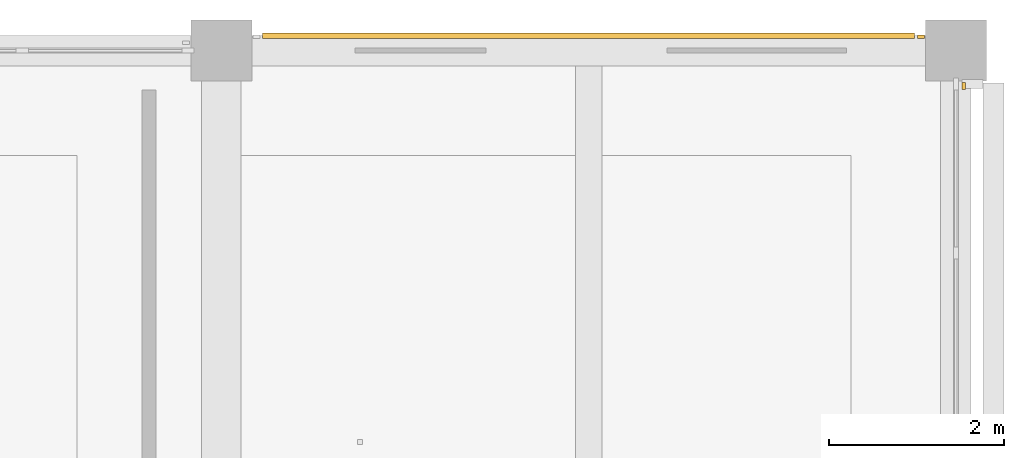
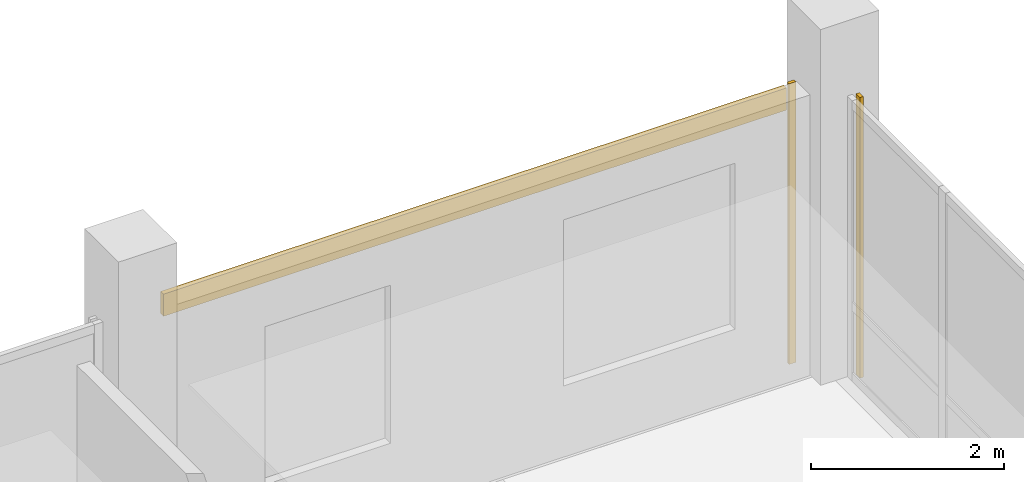
# One storey, part 35 of 35: 3 coverings.
"""IFC4 building model written with IfcOpenShell, lengths in metres."""

from ifc_helpers import new_model, si_unit, direction, frame, origin, origin_2d, place, context, subcontext, project, spatial, rectangle, extrude, material, layer, layer_set, type_object, element, save


model = new_model("IFC4")

# Units and contexts
model_context = context("Model", 3, precision=1e-05, world=origin(), true_north=direction((0.0, 1.0)))
body_context = subcontext(model_context, "Body", "Model", "MODEL_VIEW")
ifc_project = project(units=[si_unit("LENGTHUNIT", "METRE"), si_unit("AREAUNIT", "SQUARE_METRE"), si_unit("VOLUMEUNIT", "CUBIC_METRE"), si_unit("PLANEANGLEUNIT", "RADIAN"), si_unit("MASSUNIT", "GRAM", prefix="KILO")], contexts=[model_context])

# Site, building, storey
site_placement = place(None, origin())
site = spatial("IfcSite", under=ifc_project, at=site_placement, CompositionType="ELEMENT")
building_placement = place(site_placement, origin())
building = spatial("IfcBuilding", under=site, at=building_placement, Name="Telukmera Botanical Conservatory", CompositionType="ELEMENT")
storey_placement = place(building_placement, frame((0.0, 0.0, 46.5)))
storey = spatial("IfcBuildingStorey", under=building, at=storey_placement, Name="L10", CompositionType="ELEMENT", Elevation=46.5)

# Coverings
ifc_material_1 = material(Name="Granite-faced precast concrete C40/50", Category="masonry")
ifc_layer_1 = layer(ifc_material_1, 0.0400390625)
ifc_layer_set_1 = layer_set([ifc_layer_1], Name="Granite-faced precast concrete C40/50")
covering_type_1 = type_object("IfcCoveringType", Name="Granite Precast Column Pier Reveal Casing", PredefinedType="CLADDING", material=ifc_layer_set_1)
for number, where, z_axis, x_axis, name in (
    (1, (100.39794921875, 42.9599609375, 0.0), (0.0, 0.0, 1.0), (1.0, 0.0, 0.0), "Granite Pier Reveal V4:L10:N6 R"),
    (2, (100.889892578125, 42.39794921875, 0.0), (0.0, 0.0, 1.0), (0.0, 1.0, 0.0), "Granite Pier Reveal V4:L10:E4 R"),
):
    element("IfcCovering", number, at=place(storey_placement, frame(where, z_axis=z_axis, x_axis=x_axis)), inside=storey, type_object=covering_type_1, Name=name, PredefinedType="CLADDING", context=body_context, shape_type="SweptSolid", body=[
        extrude(rectangle(XDim=0.080078125, YDim=0.0400390625, at=origin_2d()), origin(), (0.0, 0.0, 1.0), 3.550048828125),
    ])
ifc_material_2 = material(Name="Terracotta-faced precast concrete C40/50", Category="masonry")
ifc_layer_2 = layer(ifc_material_2, 0.06005859375)
ifc_layer_set_2 = layer_set([ifc_layer_2], Name="Terracotta-faced precast concrete C40/50")
covering_type_2 = type_object("IfcCoveringType", Name="Polychrome Terracotta Facade Band Cladding", PredefinedType="CLADDING", material=ifc_layer_set_2)
covering_placement = place(storey_placement, frame((96.60009765625, 42.969970703125, 3.22998046875), z_axis=(0.0, 0.0, 1.0), x_axis=(1.0, 0.0, 0.0)))
element("IfcCovering", 3, at=covering_placement, inside=storey, type_object=covering_type_2, Name="Polychrome Terracotta Band V4:L10:N6", PredefinedType="CLADDING", context=body_context, shape_type="SweptSolid", body=[
    extrude(rectangle(XDim=7.4560546875, YDim=0.06005859375, at=origin_2d()), origin(), (0.0, 0.0, 1.0), 0.280029296875),
])

save(model, "model.ifc")
